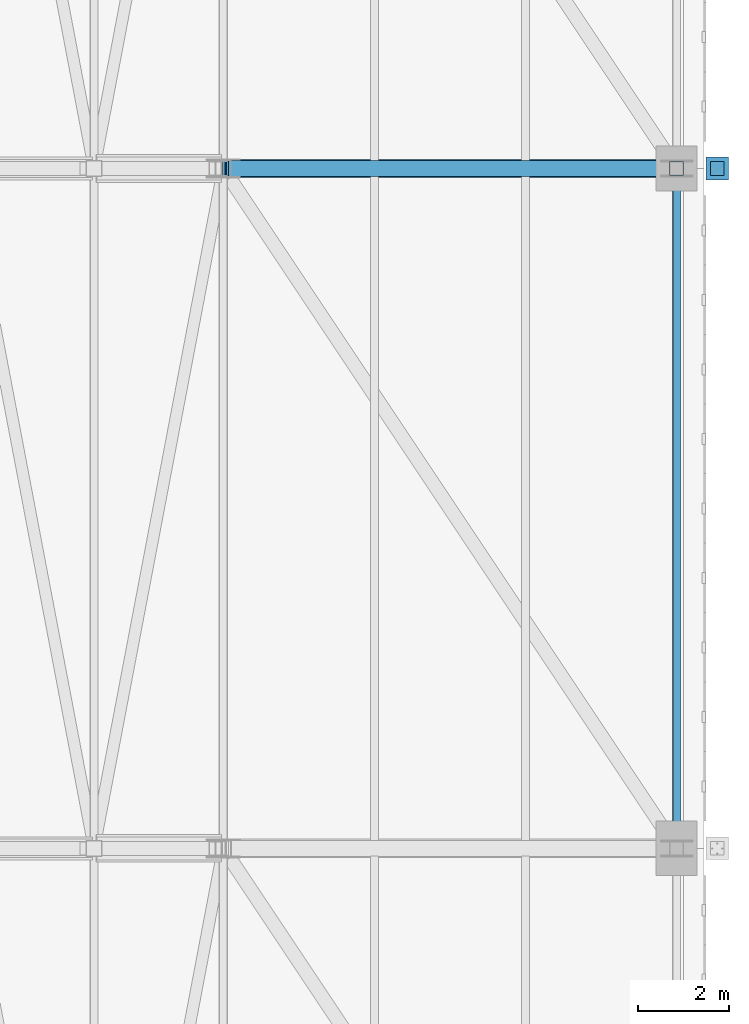
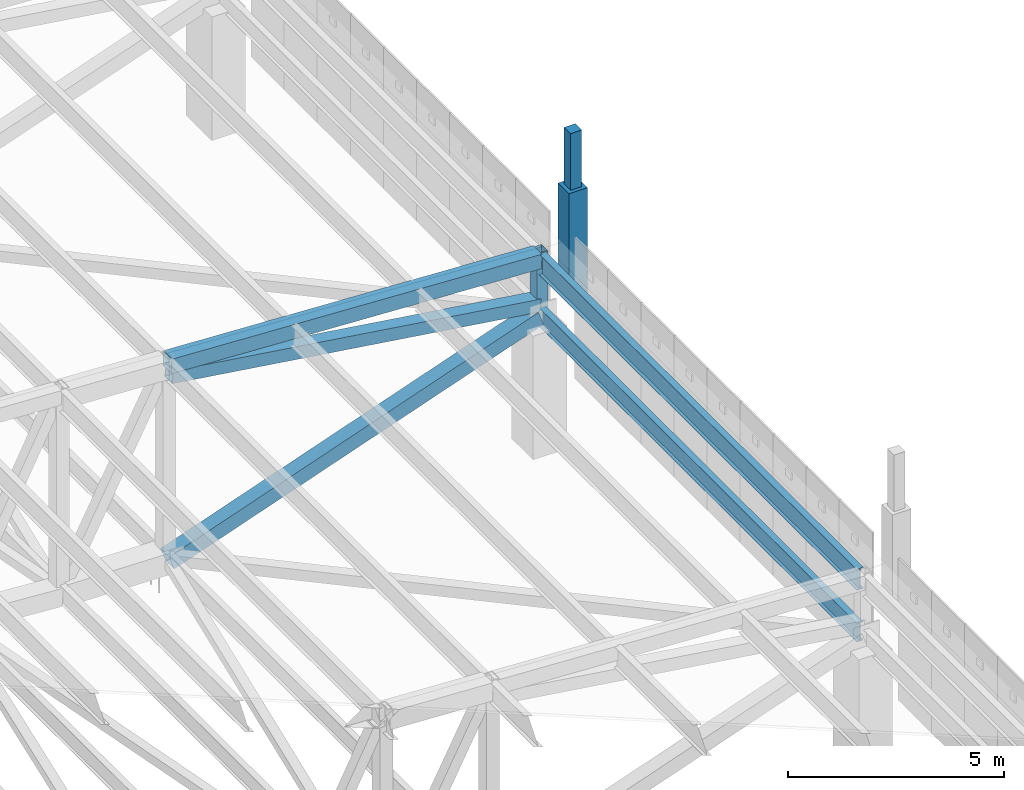
# One storey, part 61 of 278: 5 members, 3 beams.
"""IFC4 building model written with IfcOpenShell, lengths in metres."""

import ifcopenshell
import ifcopenshell.guid

model = None  # the IFC model being written
_history = None  # IfcOwnerHistory: only IFC2X3 demands one
_inside = {}  # id of a spatial element -> (the spatial element, [elements in it])
_under = {}  # id of a project, library or spatial element -> (it, [spatial elements below it])
_declared = {}  # id of a project -> (the project, [libraries it declares])
_typed = {}  # id of a type object -> (the type object, [elements of that type])
_made_of = {}  # id of a material, layer set ... -> (it, [elements and type objects made of it])


def new_model(schema):
    """Start an empty IFC model of exactly this schema.

    Asked for "IFC4X3", IfcOpenShell would pick the latest addendum, in which some entities
    have other attributes; the version numbers below select the first issue.
    IFC2X3 requires an IfcOwnerHistory on every rooted entity: one is made here for all.
    """
    global model, _history
    if schema == "IFC4X3":
        model = ifcopenshell.file(schema_version=(4, 3, 0, 0))
    else:
        model = ifcopenshell.file(schema=schema)
    _inside.clear()
    _under.clear()
    _declared.clear()
    _typed.clear()
    _made_of.clear()
    _history = None
    if model.schema == "IFC2X3":
        org = make("IfcOrganization", Name="unknown")
        user = make(
            "IfcPersonAndOrganization",
            ThePerson=make("IfcPerson", FamilyName="unknown"),
            TheOrganization=org,
        )
        app = make(
            "IfcApplication",
            ApplicationDeveloper=org,
            Version="unknown",
            ApplicationFullName="unknown",
            ApplicationIdentifier="unknown",
        )
        _history = make(
            "IfcOwnerHistory",
            OwningUser=user,
            OwningApplication=app,
            ChangeAction="ADDED",
            CreationDate=0,
        )
    return model


def make(cls, **values):
    """One entity of the class cls with the attributes given. An attribute that is None is left unset."""
    return model.create_entity(
        cls, **{name: value for name, value in values.items() if value is not None}
    )


def rooted(cls, **values):
    """An entity with a GlobalId (a new one), such as an element, a storey or a relation."""
    return make(cls, GlobalId=ifcopenshell.guid.new(), OwnerHistory=_history, **values)


def si_unit(unit_type, name, prefix=None):
    """IfcSIUnit, for example si_unit("LENGTHUNIT", "METRE", prefix="MILLI")."""
    return make("IfcSIUnit", UnitType=unit_type, Prefix=prefix, Name=name)


def assignment(units):
    """IfcUnitAssignment: the units of a project."""
    return None if units is None else make("IfcUnitAssignment", Units=units)


def point(xyz):
    """IfcCartesianPoint."""
    return None if xyz is None else make("IfcCartesianPoint", Coordinates=xyz)


def direction(xyz):
    """IfcDirection."""
    return None if xyz is None else make("IfcDirection", DirectionRatios=xyz)


def frame(location, z_axis=None, x_axis=None):
    """IfcAxis2Placement3D, a coordinate frame: its origin and axes. An axis left out is left unset."""
    return make(
        "IfcAxis2Placement3D",
        Location=point(location),
        Axis=direction(z_axis),
        RefDirection=direction(x_axis),
    )


def frame_2d(location, x_axis=None):
    """IfcAxis2Placement2D, a coordinate frame in the plane: its origin and x axis."""
    return make(
        "IfcAxis2Placement2D", Location=point(location), RefDirection=direction(x_axis)
    )


def origin():
    """The frame at (0, 0, 0) with its axes left unset."""
    return frame((0.0, 0.0, 0.0))


def origin_2d():
    """The frame at (0, 0) in the plane with its x axis left unset."""
    return frame_2d((0.0, 0.0))


def place(relative_to, where):
    """IfcLocalPlacement: puts the frame where relative to a parent placement (None: the world)."""
    return make(
        "IfcLocalPlacement", PlacementRelTo=relative_to, RelativePlacement=where
    )


def context(
    kind, dimensions, precision=None, world=None, true_north=None, identifier=None
):
    """IfcGeometricRepresentationContext, for example the 3D "Model" context."""
    return make(
        "IfcGeometricRepresentationContext",
        ContextIdentifier=identifier,
        ContextType=kind,
        CoordinateSpaceDimension=dimensions,
        Precision=precision,
        WorldCoordinateSystem=world,
        TrueNorth=true_north,
    )


def subcontext(parent, identifier, kind, view, scale=None):
    """IfcGeometricRepresentationSubContext, for example "Body" below "Model"."""
    return make(
        "IfcGeometricRepresentationSubContext",
        ContextIdentifier=identifier,
        ContextType=kind,
        ParentContext=parent,
        TargetScale=scale,
        TargetView=view,
    )


def project(units=None, contexts=None):
    """IfcProject with its units and contexts."""
    return rooted(
        "IfcProject",
        Name="project",
        RepresentationContexts=contexts,
        UnitsInContext=assignment(units),
    )


def spatial(cls, under=None, at=None, **own):
    """A site, building, storey or space (cls), placed at a placement, below another one or the project."""
    s = rooted(cls, ObjectPlacement=at, **own)
    if under is not None:
        _under.setdefault(under.id(), (under, []))[1].append(s)
    return s


def profile(cls, at=None, kind="AREA", **sizes):
    """A parametric profile (cls). Its sizes go by their IFC names, for example OverallWidth=200.0."""
    return make(cls, ProfileType=kind, Position=at, **sizes)


def rectangle(**sizes):
    """IfcRectangleProfileDef."""
    return profile("IfcRectangleProfileDef", **sizes)


def hollow_rectangle(**sizes):
    """IfcRectangleHollowProfileDef."""
    return profile("IfcRectangleHollowProfileDef", **sizes)


def i_section(**sizes):
    """IfcIShapeProfileDef."""
    return profile("IfcIShapeProfileDef", **sizes)


def extrude(swept, where, along, depth):
    """IfcExtrudedAreaSolid: the profile swept, set in the frame where, extruded along a direction by depth."""
    return make(
        "IfcExtrudedAreaSolid",
        SweptArea=swept,
        Position=where,
        ExtrudedDirection=direction(along),
        Depth=depth,
    )


def shape(context_of_items, identifier, shape_type, items):
    """IfcShapeRepresentation: the items that make up one representation, for example the "Body"."""
    return make(
        "IfcShapeRepresentation",
        ContextOfItems=context_of_items,
        RepresentationIdentifier=identifier,
        RepresentationType=shape_type,
        Items=items,
    )


def material(Name=None, Category=None):
    """IfcMaterial."""
    return make("IfcMaterial", Name=Name, Category=Category)


def material_profile(
    of_material, cross_section, Name=None, Category=None, Priority=None
):
    """IfcMaterialProfile: a cross section and its material."""
    return make(
        "IfcMaterialProfile",
        Name=Name,
        Material=of_material,
        Profile=cross_section,
        Priority=Priority,
        Category=Category,
    )


def profile_set(profiles, Name=None, composite=None):
    """IfcMaterialProfileSet."""
    return make(
        "IfcMaterialProfileSet",
        Name=Name,
        MaterialProfiles=profiles,
        CompositeProfile=composite,
    )


def made_of(thing, what):
    """Note that an element or type object is made of a material, layer set ...; save() writes the relation."""
    if what is not None:
        _made_of.setdefault(what.id(), (what, []))[1].append(thing)
    return thing


def type_object(cls, material=None, **own):
    """A type object (cls), such as IfcWallType, which elements share."""
    return made_of(rooted(cls, **own), material)


def element(
    cls,
    number,
    at=None,
    inside=None,
    cuts=None,
    type_object=None,
    material=None,
    context=None,
    identifier="Body",
    shape_type=None,
    held_by="IfcProductDefinitionShape",
    body=None,
    shapes=None,
    **own,
):
    """One element of the class cls, such as IfcWall. Its Tag is "e" and its number.

    at: its placement. inside: the storey or other place that contains it. cuts: it is an
    opening in that element (IfcRelVoidsElement). A single representation is given by context,
    identifier, shape_type and body (its items); several are given by shapes. held_by: the class
    of the entity that holds the representations. save() writes the other relations.
    """
    e = rooted(cls, Tag="e%d" % number, ObjectPlacement=at, **own)
    if body is not None:
        shapes = [shape(context, identifier, shape_type, body)]
    if shapes is not None:
        e.Representation = make(held_by, Representations=shapes)
    if inside is not None:
        _inside.setdefault(inside.id(), (inside, []))[1].append(e)
    if cuts is not None:
        rooted(
            "IfcRelVoidsElement", RelatingBuildingElement=cuts, RelatedOpeningElement=e
        )
    if type_object is not None:
        _typed.setdefault(type_object.id(), (type_object, []))[1].append(e)
    return made_of(e, material)


def aggregate(whole, parts):
    """IfcRelAggregates: a whole, such as a stair, and the parts it consists of."""
    return rooted("IfcRelAggregates", RelatingObject=whole, RelatedObjects=parts)


def save(model, path):
    """Write the relations noted so far, then the file.

    IfcRelAggregates (storeys below a building ...), IfcRelContainedInSpatialStructure (elements
    in a storey), IfcRelDefinesByType, IfcRelAssociatesMaterial and IfcRelDeclares: one each for
    every whole, place, type object, material and project.
    """
    for whole, parts in _under.values():
        aggregate(whole, parts)
    for where, things in _inside.values():
        rooted(
            "IfcRelContainedInSpatialStructure",
            RelatedElements=things,
            RelatingStructure=where,
        )
    for kind, things in _typed.values():
        rooted("IfcRelDefinesByType", RelatedObjects=things, RelatingType=kind)
    for what, things in _made_of.values():
        rooted("IfcRelAssociatesMaterial", RelatedObjects=things, RelatingMaterial=what)
    for by, libraries in _declared.values():
        rooted("IfcRelDeclares", RelatingContext=by, RelatedDefinitions=libraries)
    model.write(path)


model = new_model("IFC4")

# Units and contexts
model_context = context("Model", 3, precision=1e-05, world=origin(), true_north=direction((0.0, 1.0)))
body_context = subcontext(model_context, "Body", "Model", "MODEL_VIEW")
ifc_project = project(units=[si_unit("LENGTHUNIT", "METRE"), si_unit("AREAUNIT", "SQUARE_METRE"), si_unit("VOLUMEUNIT", "CUBIC_METRE"), si_unit("PLANEANGLEUNIT", "RADIAN"), si_unit("MASSUNIT", "GRAM", prefix="KILO")], contexts=[model_context])

# Site, building, storey
site_placement = place(None, origin())
site = spatial("IfcSite", under=ifc_project, at=site_placement, CompositionType="ELEMENT")
building_placement = place(site_placement, origin())
building = spatial("IfcBuilding", under=site, at=building_placement, Name="Ogive Plaza Stadium", CompositionType="ELEMENT")
storey_placement = place(building_placement, frame((0.0, 0.0, 29.0)))
storey = spatial("IfcBuildingStorey", under=building, at=storey_placement, Name="Roof", CompositionType="ELEMENT", Elevation=29.0)

# Members
ifc_material_1 = material(Name="Concrete C45/55 precast", Category="concrete")
ifc_material_profile_1 = material_profile(ifc_material_1, rectangle(XDim=0.5, YDim=0.5, at=origin_2d()), Name="RC 500x500")
ifc_profile_set_1 = profile_set([ifc_material_profile_1], Name="Concrete C45/55 precast")
member_type_1 = type_object("IfcMemberType", Name="Precast pinnacle 500x500", PredefinedType="POST", material=ifc_profile_set_1)
member_1_placement = place(storey_placement, frame((84.89990234375, 22.5, 4.0), z_axis=(0.0, 0.0, 1.0), x_axis=(0.0, 1.0, 0.0)))
element("IfcMember", 1, at=member_1_placement, inside=storey, type_object=member_type_1, Name="PINNACLE R03", PredefinedType="POST", context=body_context, shape_type="SweptSolid", body=[
    extrude(rectangle(XDim=0.5, YDim=0.5, at=origin_2d()), origin(), (0.0, 0.0, 1.0), 3.0),
])
ifc_material_2 = material(Name="Concrete C45/55 precast", Category="concrete")
ifc_material_profile_2 = material_profile(ifc_material_2, rectangle(XDim=0.300048828125, YDim=0.300048828125, at=origin_2d()), Name="RC 300x300")
ifc_profile_set_2 = profile_set([ifc_material_profile_2], Name="Concrete C45/55 precast")
member_type_2 = type_object("IfcMemberType", Name="Precast spire 300x300", PredefinedType="MEMBER", material=ifc_profile_set_2)
member_2_placement = place(storey_placement, frame((84.89990234375, 22.5, 7.0), z_axis=(0.0, 0.0, 1.0), x_axis=(0.0, 1.0, 0.0)))
element("IfcMember", 2, at=member_2_placement, inside=storey, type_object=member_type_2, Name="SPIRE R03", PredefinedType="MEMBER", context=body_context, shape_type="SweptSolid", body=[
    extrude(rectangle(XDim=0.300048828125, YDim=0.300048828125, at=origin_2d()), origin(), (0.0, 0.0, 1.0), 1.60009765625),
])
ifc_material_3 = material(Name="Steel ASTM A992 Grade 50", Category="steel")
ifc_material_profile_3 = material_profile(ifc_material_3, i_section(OverallWidth=0.1650390625, OverallDepth=0.524658203125, WebThickness=0.0087890625, FlangeThickness=0.011474609375, at=origin_2d()), Name="W21X44")
ifc_profile_set_3 = profile_set([ifc_material_profile_3], Name="Steel ASTM A992 Grade 50")
member_type_3 = type_object("IfcMemberType", Name="Roof plan strut W21X44", PredefinedType="STRUT", material=ifc_profile_set_3)
member_3_placement = place(storey_placement, frame((84.0, 22.377685546875, 3.703125), z_axis=(0.0, -1.0, 0.0), x_axis=(1.0, 0.0, 0.0)))
element("IfcMember", 3, at=member_3_placement, inside=storey, type_object=member_type_3, Name="ROOF STRUT B03 11", PredefinedType="STRUT", context=body_context, shape_type="SweptSolid", body=[
    extrude(i_section(OverallWidth=0.1650390625, OverallDepth=0.524658203125, WebThickness=0.0087890625, FlangeThickness=0.011474609375, at=origin_2d()), origin(), (0.0, 0.0, 1.0), 14.75537109375),
])
ifc_material_4 = material(Name="Steel ASTM A992 Grade 50", Category="steel")
ifc_material_profile_4 = material_profile(ifc_material_4, i_section(OverallWidth=0.177978515625, OverallDepth=0.5986328125, WebThickness=0.010009765625, FlangeThickness=0.012939453125, at=origin_2d()), Name="W24X55")
ifc_profile_set_4 = profile_set([ifc_material_profile_4], Name="Steel ASTM A992 Grade 50")
member_type_4 = type_object("IfcMemberType", Name="Roof purlin W24X55", PredefinedType="PURLIN", material=ifc_profile_set_4)
member_4_placement = place(storey_placement, frame((84.0, 22.377685546875, 5.20068359375), z_axis=(0.0, -1.0, 0.0), x_axis=(1.0, 0.0, 0.0)))
element("IfcMember", 4, at=member_4_placement, inside=storey, type_object=member_type_4, Name="ROOF PURLIN B03 13", PredefinedType="PURLIN", context=body_context, shape_type="SweptSolid", body=[
    extrude(i_section(OverallWidth=0.177978515625, OverallDepth=0.5986328125, WebThickness=0.010009765625, FlangeThickness=0.012939453125, at=origin_2d()), origin(), (0.0, 0.0, 1.0), 14.75537109375),
])

# Beams
ifc_material_5 = material(Name="Steel ASTM A500 Grade C", Category="steel")
ifc_material_profile_5 = material_profile(ifc_material_5, hollow_rectangle(XDim=0.406494140625, YDim=0.406494140625, WallThickness=0.0146484375, at=origin_2d()), Name="HSS16X16X5/8")
ifc_profile_set_5 = profile_set([ifc_material_profile_5], Name="Steel ASTM A500 Grade C")
beam_type_1 = type_object("IfcBeamType", Name="Roof truss back-span bottom chord HSS16X16X5/8", PredefinedType="BEAM", material=ifc_profile_set_5)
beam_1_placement = place(storey_placement, frame((74.050048828125, 22.5, 0.232666015625), z_axis=(0.943851085966, 0.0, 0.330371196567), x_axis=(0.0, 1.0, 0.0)))
element("IfcBeam", 5, at=beam_1_placement, inside=storey, type_object=beam_type_1, Name="ROOF TRUSS T03 BOTTOM CHORD 11", PredefinedType="BEAM", context=body_context, shape_type="SweptSolid", body=[
    extrude(hollow_rectangle(XDim=0.406494140625, YDim=0.406494140625, WallThickness=0.0146484375, at=origin_2d()), origin(), (0.0, 0.0, 1.0), 10.470703125),
])
ifc_material_6 = material(Name="Steel ASTM A500 Grade C", Category="steel")
ifc_material_profile_6 = material_profile(ifc_material_6, hollow_rectangle(XDim=0.406494140625, YDim=0.406494140625, WallThickness=0.0146484375, at=origin_2d()), Name="HSS16X16X5/8")
ifc_profile_set_6 = profile_set([ifc_material_profile_6], Name="Steel ASTM A500 Grade C")
beam_type_2 = type_object("IfcBeamType", Name="Roof truss back-span top chord HSS16X16X5/8", PredefinedType="BEAM", material=ifc_profile_set_6)
beam_2_placement = place(storey_placement, frame((74.050048828125, 22.5, 5.7939453125), z_axis=(0.998752953021, 0.0, -0.049925332571), x_axis=(0.0, 1.0, 0.0)))
element("IfcBeam", 6, at=beam_2_placement, inside=storey, type_object=beam_type_2, Name="ROOF TRUSS T03 TOP CHORD 11", PredefinedType="BEAM", context=body_context, shape_type="SweptSolid", body=[
    extrude(hollow_rectangle(XDim=0.406494140625, YDim=0.406494140625, WallThickness=0.0146484375, at=origin_2d()), origin(), (0.0, 0.0, 1.0), 9.912353515625),
])

# Member
ifc_material_7 = material(Name="Steel ASTM A500 Grade C", Category="steel")
ifc_material_profile_7 = material_profile(ifc_material_7, hollow_rectangle(XDim=0.355712890625, YDim=0.355712890625, WallThickness=0.0146484375, at=origin_2d()), Name="HSS14X14X5/8")
ifc_profile_set_7 = profile_set([ifc_material_profile_7], Name="Steel ASTM A500 Grade C")
member_type_5 = type_object("IfcMemberType", Name="Roof truss back-stay HSS14X14X5/8", PredefinedType="BRACE", material=ifc_profile_set_7)
member_5_placement = place(storey_placement, frame((74.093017578125, 22.5, 5.45654296875), z_axis=(0.989844100519, 0.0, -0.142157154826), x_axis=(0.0, 1.0, 0.0)))
element("IfcMember", 7, at=member_5_placement, inside=storey, type_object=member_type_5, Name="BACK-STAY T03", PredefinedType="BRACE", context=body_context, shape_type="SweptSolid", body=[
    extrude(hollow_rectangle(XDim=0.355712890625, YDim=0.355712890625, WallThickness=0.0146484375, at=origin_2d()), origin(), (0.0, 0.0, 1.0), 9.9404296875),
])

# Beam
ifc_material_8 = material(Name="Steel ASTM A500 Grade C", Category="steel")
ifc_material_profile_8 = material_profile(ifc_material_8, hollow_rectangle(XDim=0.3046875, YDim=0.3046875, WallThickness=0.01171875, at=origin_2d()), Name="HSS12X12X1/2")
ifc_profile_set_8 = profile_set([ifc_material_profile_8], Name="Steel ASTM A500 Grade C")
beam_type_3 = type_object("IfcBeamType", Name="Roof truss post HSS12X12X1/2", PredefinedType="BEAM", material=ifc_profile_set_8)
beam_3_placement = place(storey_placement, frame((84.0, 22.5, 3.43994140625), z_axis=(0.0, 0.0, 1.0), x_axis=(0.0, 1.0, 0.0)))
element("IfcBeam", 8, at=beam_3_placement, inside=storey, type_object=beam_type_3, Name="ROOF TRUSS T03 POST 12", PredefinedType="BEAM", context=body_context, shape_type="SweptSolid", body=[
    extrude(hollow_rectangle(XDim=0.3046875, YDim=0.3046875, WallThickness=0.01171875, at=origin_2d()), origin(), (0.0, 0.0, 1.0), 2.06005859375),
])

save(model, "model.ifc")
